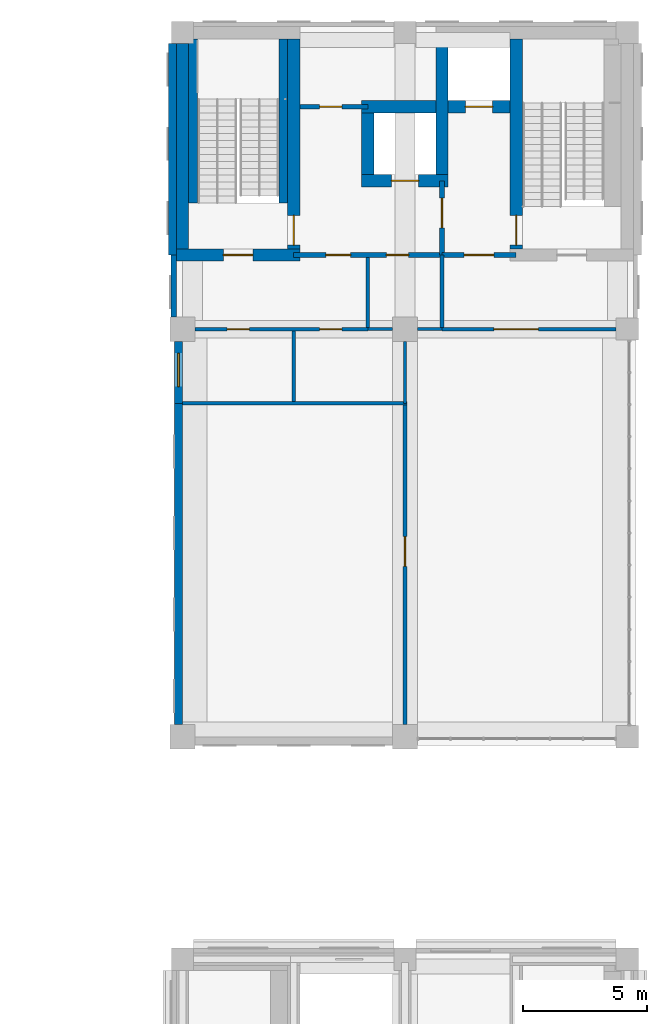
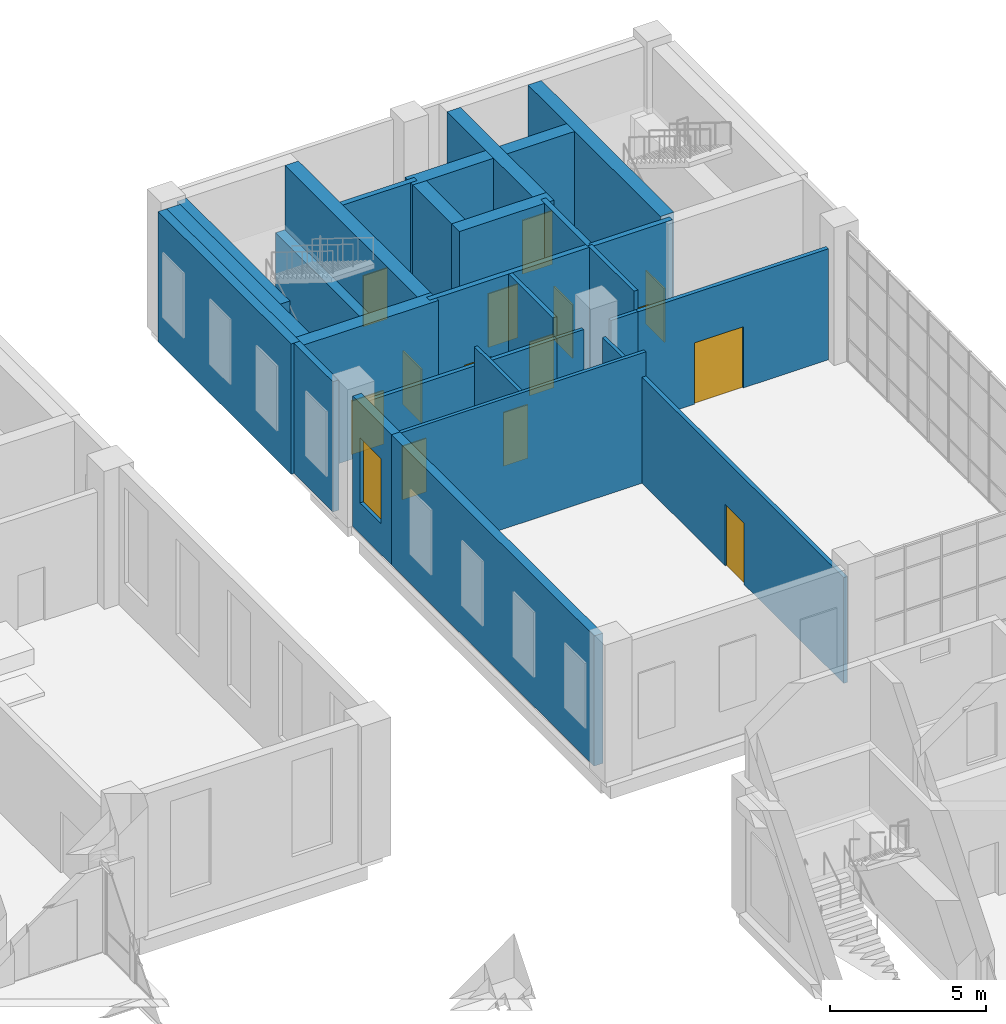
# One storey, part 37 of 52: 28 walls, 14 doors, 1 window, 15 openings.
"""IFC4 building model written with IfcOpenShell, lengths in metres."""

from ifc_helpers import new_model, si_unit, direction, frame, frame_2d, origin, place, context, subcontext, project, spatial, rectangle, extrude, material, layer, layer_set, type_object, element, fill, save


model = new_model("IFC4")

# Units and contexts
model_context = context("Model", 3, precision=1e-05, world=origin(), true_north=direction((0.0, 1.0)))
body_context = subcontext(model_context, "Body", "Model", "MODEL_VIEW")
ifc_project = project(units=[si_unit("LENGTHUNIT", "METRE"), si_unit("AREAUNIT", "SQUARE_METRE"), si_unit("VOLUMEUNIT", "CUBIC_METRE"), si_unit("PLANEANGLEUNIT", "RADIAN"), si_unit("MASSUNIT", "GRAM", prefix="KILO")], contexts=[model_context])

# Site, building, storey
site_placement = place(None, origin())
site = spatial("IfcSite", under=ifc_project, at=site_placement, CompositionType="ELEMENT")
building_placement = place(site_placement, origin())
building = spatial("IfcBuilding", under=site, at=building_placement, Name="Aurelan Courthouse", CompositionType="ELEMENT")
storey_placement = place(building_placement, frame((0.0, 0.0, 6.60009765625)))
storey = spatial("IfcBuildingStorey", under=building, at=storey_placement, Name="L01", CompositionType="ELEMENT", Elevation=6.60009765625)

# Wall, openings, doors
ifc_material_1 = material(Name="Gypsum board on metal studs")
ifc_layer_1 = layer(ifc_material_1, 0.14990234375)
ifc_layer_set_1 = layer_set([ifc_layer_1], Name="Gypsum board on metal studs")
wall_type_1 = type_object("IfcWallType", Name="Corridor partition 150 EI 60", PredefinedType="PARTITIONING", material=ifc_layer_set_1)
wall_1_placement = place(storey_placement, frame((72.5, 54.0, 0.0), z_axis=(0.0, 0.0, 1.0), x_axis=(1.0, 0.0, 0.0)))
wall_1 = element("IfcWall", 1, at=wall_1_placement, inside=storey, type_object=wall_type_1, Name="Corridor partition L01-051", PredefinedType="PARTITIONING", context=body_context, shape_type="SweptSolid", body=[
    extrude(rectangle(XDim=7.0, YDim=0.14990234375, at=frame_2d((3.5, 0.0))), origin(), (0.0, 0.0, 1.0), 4.349853515625),
])
opening_1_placement = place(wall_1_placement, frame((2.199951171875, 0.0, 0.0), z_axis=(0.0, 0.0, 1.0), x_axis=(-1.0, 0.0, 0.0)))
opening_1 = element("IfcOpeningElement", 2, at=opening_1_placement, cuts=wall_1, Name="Opening D-L01-049", PredefinedType="OPENING", context=body_context, shape_type="SweptSolid", body=[
    extrude(rectangle(XDim=0.89990234375, YDim=2.10009765625, at=frame_2d((0.449951171875, 1.050048828125))), frame((0.0, 0.0849609375, 0.0), z_axis=(0.0, -1.0, 0.0), x_axis=(1.0, 0.0, 0.0)), (0.0, 0.0, 1.0), 0.169921875),
])
opening_2_placement = place(wall_1_placement, frame((5.949951171875, 0.0, 0.0), z_axis=(0.0, 0.0, 1.0), x_axis=(-1.0, 0.0, 0.0)))
opening_2 = element("IfcOpeningElement", 3, at=opening_2_placement, cuts=wall_1, Name="Opening D-L01-050", PredefinedType="OPENING", context=body_context, shape_type="SweptSolid", body=[
    extrude(rectangle(XDim=0.89990234375, YDim=2.10009765625, at=frame_2d((0.449951171875, 1.050048828125))), frame((0.0, 0.0849609375, 0.0), z_axis=(0.0, -1.0, 0.0), x_axis=(1.0, 0.0, 0.0)), (0.0, 0.0, 1.0), 0.169921875),
])
ifc_material_2 = material(Name="Steel", Category="steel")
door_type_1 = type_object("IfcDoorType", Name="Single door 900 x 2100 FD60", OperationType="SINGLE_SWING_LEFT", PredefinedType="DOOR", material=ifc_material_2)
door_1_placement = place(opening_1_placement, origin())
door_1 = element("IfcDoor", 4, at=door_1_placement, inside=storey, type_object=door_type_1, Name="Single door D-L01-049", OperationType="SINGLE_SWING_LEFT", OverallHeight=2.10009765625, OverallWidth=0.89990234375, PredefinedType="DOOR", context=body_context, shape_type="SweptSolid", body=[
    extrude(rectangle(XDim=0.89990234375, YDim=2.10009765625, at=frame_2d((0.449951171875, 1.050048828125))), frame((0.0, 0.02490234375, 0.0), z_axis=(0.0, -1.0, 0.0), x_axis=(1.0, 0.0, 0.0)), (0.0, 0.0, 1.0), 0.050048828125),
])
fill(opening_1, door_1)
door_2_placement = place(opening_2_placement, origin())
door_2 = element("IfcDoor", 5, at=door_2_placement, inside=storey, type_object=door_type_1, Name="Single door D-L01-050", OperationType="SINGLE_SWING_RIGHT", OverallHeight=2.10009765625, OverallWidth=0.89990234375, PredefinedType="DOOR", context=body_context, shape_type="SweptSolid", body=[
    extrude(rectangle(XDim=0.89990234375, YDim=2.10009765625, at=frame_2d((0.449951171875, 1.050048828125))), frame((0.0, 0.02490234375, 0.0), z_axis=(0.0, -1.0, 0.0), x_axis=(1.0, 0.0, 0.0)), (0.0, 0.0, 1.0), 0.050048828125),
])
fill(opening_2, door_2)

# Wall, opening, door
wall_2_placement = place(storey_placement, frame((82.5, 54.0, 0.0), z_axis=(0.0, 0.0, 1.0), x_axis=(1.0, 0.0, 0.0)))
wall_2 = element("IfcWall", 6, at=wall_2_placement, inside=storey, type_object=wall_type_1, Name="Corridor partition L01-054", PredefinedType="PARTITIONING", context=body_context, shape_type="SweptSolid", body=[
    extrude(rectangle(XDim=7.050048828125, YDim=0.14990234375, at=frame_2d((3.52490234375, 0.0))), origin(), (0.0, 0.0, 1.0), 4.349853515625),
])
opening_3_placement = place(wall_2_placement, frame((3.900146484375, 0.0, 0.0), z_axis=(0.0, 0.0, 1.0), x_axis=(-1.0, 0.0, 0.0)))
opening_3 = element("IfcOpeningElement", 7, at=opening_3_placement, cuts=wall_2, Name="Opening D-L01-051", PredefinedType="OPENING", context=body_context, shape_type="SweptSolid", body=[
    extrude(rectangle(XDim=1.800048828125, YDim=2.39990234375, at=frame_2d((0.89990234375, 1.199951171875))), frame((0.0, 0.0849609375, 0.0), z_axis=(0.0, -1.0, 0.0), x_axis=(1.0, 0.0, 0.0)), (0.0, 0.0, 1.0), 0.169921875),
])
door_type_2 = type_object("IfcDoorType", Name="Double door 1800 x 2400 FD60", OperationType="DOUBLE_DOOR_SINGLE_SWING", PredefinedType="DOOR", material=ifc_material_2)
door_3_placement = place(opening_3_placement, origin())
door_3 = element("IfcDoor", 8, at=door_3_placement, inside=storey, type_object=door_type_2, Name="Double door D-L01-051", OperationType="DOUBLE_DOOR_SINGLE_SWING", OverallHeight=2.39990234375, OverallWidth=1.800048828125, PredefinedType="DOOR", context=body_context, shape_type="SweptSolid", body=[
    extrude(rectangle(XDim=1.800048828125, YDim=2.39990234375, at=frame_2d((0.89990234375, 1.199951171875))), frame((0.0, 0.02490234375, 0.0), z_axis=(0.0, -1.0, 0.0), x_axis=(1.0, 0.0, 0.0)), (0.0, 0.0, 1.0), 0.050048828125),
])
fill(opening_3, door_3)

# Walls
wall_3_placement = place(storey_placement, frame((79.5, 54.0625, 0.0), z_axis=(0.0, 0.0, 1.0), x_axis=(0.0, 1.0, 0.0)))
element("IfcWall", 9, at=wall_3_placement, inside=storey, type_object=wall_type_1, Name="Corridor partition L01-102", PredefinedType="PARTITIONING", context=body_context, shape_type="SweptSolid", body=[
    extrude(rectangle(XDim=2.83740234375, YDim=0.14990234375, at=frame_2d((1.418701171875, 0.0))), origin(), (0.0, 0.0, 1.0), 5.099853515625),
])
wall_4_placement = place(storey_placement, frame((82.5, 54.0625, 0.0), z_axis=(0.0, 0.0, 1.0), x_axis=(0.0, 1.0, 0.0)))
element("IfcWall", 10, at=wall_4_placement, inside=storey, type_object=wall_type_1, Name="Corridor partition L01-107", PredefinedType="PARTITIONING", context=body_context, shape_type="SweptSolid", body=[
    extrude(rectangle(XDim=2.9375, YDim=0.14990234375, at=frame_2d((1.46875, 0.0))), origin(), (0.0, 0.0, 1.0), 5.099853515625),
])
ifc_material_3 = material(Name="Granite cladding", Category="masonry")
ifc_layer_2 = layer(ifc_material_3, 0.06494140625, Name="Facing")
ifc_material_4 = material(Name="Ventilated cavity")
ifc_layer_3 = layer(ifc_material_4, 0.02490234375, ventilated=True, Name="Ventilated cavity")
ifc_material_5 = material(Name="Mineral wool insulation")
ifc_layer_4 = layer(ifc_material_5, 0.030029296875, Name="Insulation")
ifc_material_6 = material(Name="Concrete C30", Category="concrete")
ifc_layer_5 = layer(ifc_material_6, 0.10009765625, Name="Structure")
ifc_layer_set_2 = layer_set([ifc_layer_2, ifc_layer_3, ifc_layer_4, ifc_layer_5], Name="Concrete C30")
wall_type_2 = type_object("IfcWallType", Name="Law Library granite-faced wall 220", PredefinedType="SOLIDWALL", material=ifc_layer_set_2)
wall_5_placement = place(storey_placement, frame((71.639892578125, 54.5, 0.0), z_axis=(0.0, 0.0, 1.0), x_axis=(0.0, 1.0, 0.0)))
element("IfcWall", 11, at=wall_5_placement, inside=storey, type_object=wall_type_2, Name="Facade wall FW-V3-L01-008", PredefinedType="SOLIDWALL", context=body_context, shape_type="SweptSolid", body=[
    extrude(rectangle(XDim=2.5, YDim=0.219970703125, at=frame_2d((1.25, 0.0))), origin(), (0.0, 0.0, 1.0), 5.099853515625),
])
ifc_layer_6 = layer(ifc_material_3, 0.090087890625, Name="Facing")
ifc_layer_7 = layer(ifc_material_4, 0.02490234375, ventilated=True, Name="Ventilated cavity")
ifc_layer_8 = layer(ifc_material_5, 0.044921875, Name="Insulation")
ifc_layer_9 = layer(ifc_material_6, 0.159912109375, Name="Structure")
ifc_layer_set_3 = layer_set([ifc_layer_6, ifc_layer_7, ifc_layer_8, ifc_layer_9], Name="Concrete C30")
wall_type_3 = type_object("IfcWallType", Name="Law Library granite-faced wall 320", PredefinedType="SOLIDWALL", material=ifc_layer_set_3)
wall_6_placement = place(storey_placement, frame((71.840087890625, 38.0, 0.0), z_axis=(0.0, 0.0, 1.0), x_axis=(0.0, 1.0, 0.0)))
element("IfcWall", 12, at=wall_6_placement, inside=storey, type_object=wall_type_3, Name="Facade wall FW-V3-L01-006", PredefinedType="SOLIDWALL", context=body_context, shape_type="SweptSolid", body=[
    extrude(rectangle(XDim=13.0, YDim=0.320068359375, at=frame_2d((6.5, 0.0))), origin(), (0.0, 0.0, 1.0), 5.099853515625),
])

# Wall, opening, window
wall_7_placement = place(storey_placement, frame((71.840087890625, 51.0, 0.0), z_axis=(0.0, 0.0, 1.0), x_axis=(0.0, 1.0, 0.0)))
wall_7 = element("IfcWall", 13, at=wall_7_placement, inside=storey, type_object=wall_type_3, Name="Facade wall FW-V3-L01-007", PredefinedType="SOLIDWALL", context=body_context, shape_type="SweptSolid", body=[
    extrude(rectangle(XDim=2.5, YDim=0.320068359375, at=frame_2d((1.25, 0.0))), origin(), (0.0, 0.0, 1.0), 5.099853515625),
])
opening_4_placement = place(wall_7_placement, frame((0.675048828125, 0.0, 1.199951171875)))
opening_4 = element("IfcOpeningElement", 14, at=opening_4_placement, cuts=wall_7, Name="Opening WN-V3-L01-001", PredefinedType="OPENING", context=body_context, shape_type="SweptSolid", body=[
    extrude(rectangle(XDim=1.35009765625, YDim=2.550048828125, at=frame_2d((0.675048828125, 1.27490234375))), frame((0.0, 0.169921875, 0.0), z_axis=(0.0, -1.0, 0.0), x_axis=(1.0, 0.0, 0.0)), (0.0, 0.0, 1.0), 0.340087890625),
])
ifc_material_7 = material(Name="Bronze-finished aluminium and glass", Category="aluminium")
window_type = type_object("IfcWindowType", Name="Law Library window 1350 x 2550, sill 1200", PartitioningType="SINGLE_PANEL", PredefinedType="WINDOW", material=ifc_material_7)
window_placement = place(opening_4_placement, origin())
window = element("IfcWindow", 15, at=window_placement, inside=storey, type_object=window_type, Name="Window WN-V3-L01-001", OverallHeight=2.550048828125, OverallWidth=1.35009765625, PartitioningType="SINGLE_PANEL", PredefinedType="WINDOW", context=body_context, shape_type="SweptSolid", body=[
    extrude(rectangle(XDim=1.35009765625, YDim=2.550048828125, at=frame_2d((0.675048828125, 1.27490234375))), frame((0.0, 0.030029296875, 0.0), z_axis=(0.0, -1.0, 0.0), x_axis=(1.0, 0.0, 0.0)), (0.0, 0.0, 1.0), 0.06005859375),
])
fill(opening_4, window)

# Wall
wall_8_placement = place(storey_placement, frame((71.590087890625, 57.0, 0.0), z_axis=(0.0, 0.0, 1.0), x_axis=(0.0, 1.0, 0.0)))
element("IfcWall", 16, at=wall_8_placement, inside=storey, type_object=wall_type_3, Name="Facade wall FW-V3-L01-009", PredefinedType="SOLIDWALL", context=body_context, shape_type="SweptSolid", body=[
    extrude(rectangle(XDim=8.550048828125, YDim=0.320068359375, at=frame_2d((4.27490234375, 0.0))), origin(), (0.0, 0.0, 1.0), 5.099853515625),
])

# Wall, openings, doors
ifc_material_8 = material(Name="Masonry block", Category="masonry")
ifc_layer_10 = layer(ifc_material_8, 0.199951171875)
ifc_layer_set_4 = layer_set([ifc_layer_10], Name="Masonry block")
wall_type_4 = type_object("IfcWallType", Name="Lift lobby wall 200 EI 60", PredefinedType="PARTITIONING", material=ifc_layer_set_4)
wall_9_placement = place(storey_placement, frame((76.5, 57.0, 0.0), z_axis=(0.0, 0.0, 1.0), x_axis=(1.0, 0.0, 0.0)))
wall_9 = element("IfcWall", 17, at=wall_9_placement, inside=storey, type_object=wall_type_4, Name="Lift lobby wall L01-060", PredefinedType="PARTITIONING", context=body_context, shape_type="SweptSolid", body=[
    extrude(rectangle(XDim=6.0, YDim=0.199951171875, at=frame_2d((3.0, 0.0))), origin(), (0.0, 0.0, 1.0), 5.099853515625),
])
opening_5_placement = place(wall_9_placement, frame((4.64990234375, 0.0, 0.0), z_axis=(0.0, 0.0, 1.0), x_axis=(-1.0, 0.0, 0.0)))
opening_5 = element("IfcOpeningElement", 18, at=opening_5_placement, cuts=wall_9, Name="Opening D-L01-044", PredefinedType="OPENING", context=body_context, shape_type="SweptSolid", body=[
    extrude(rectangle(XDim=0.89990234375, YDim=2.10009765625, at=frame_2d((0.449951171875, 1.050048828125))), frame((0.0, 0.10986328125, 0.0), z_axis=(0.0, -1.0, 0.0), x_axis=(1.0, 0.0, 0.0)), (0.0, 0.0, 1.0), 0.219970703125),
])
opening_6_placement = place(wall_9_placement, frame((1.300048828125, 0.0, 0.0)))
opening_6 = element("IfcOpeningElement", 19, at=opening_6_placement, cuts=wall_9, Name="Opening D-L01-045", PredefinedType="OPENING", context=body_context, shape_type="SweptSolid", body=[
    extrude(rectangle(XDim=1.0, YDim=2.10009765625, at=frame_2d((0.5, 1.050048828125))), frame((0.0, 0.10986328125, 0.0), z_axis=(0.0, -1.0, 0.0), x_axis=(1.0, 0.0, 0.0)), (0.0, 0.0, 1.0), 0.219970703125),
])
door_type_3 = type_object("IfcDoorType", Name="Single door 1000 x 2100 FD60", OperationType="SINGLE_SWING_LEFT", PredefinedType="DOOR", material=ifc_material_2)
door_4_placement = place(opening_6_placement, origin())
door_4 = element("IfcDoor", 20, at=door_4_placement, inside=storey, type_object=door_type_3, Name="Single door D-L01-045", OperationType="SINGLE_SWING_LEFT", OverallHeight=2.10009765625, OverallWidth=1.0, PredefinedType="DOOR", context=body_context, shape_type="SweptSolid", body=[
    extrude(rectangle(XDim=1.0, YDim=2.10009765625, at=frame_2d((0.5, 1.050048828125))), frame((0.0, 0.02490234375, 0.0), z_axis=(0.0, -1.0, 0.0), x_axis=(1.0, 0.0, 0.0)), (0.0, 0.0, 1.0), 0.050048828125),
])
fill(opening_6, door_4)
door_5_placement = place(opening_5_placement, origin())
door_5 = element("IfcDoor", 21, at=door_5_placement, inside=storey, type_object=door_type_1, Name="Single door D-L01-044", OperationType="SINGLE_SWING_RIGHT", OverallHeight=2.10009765625, OverallWidth=0.89990234375, PredefinedType="DOOR", context=body_context, shape_type="SweptSolid", body=[
    extrude(rectangle(XDim=0.89990234375, YDim=2.10009765625, at=frame_2d((0.449951171875, 1.050048828125))), frame((0.0, 0.02490234375, 0.0), z_axis=(0.0, -1.0, 0.0), x_axis=(1.0, 0.0, 0.0)), (0.0, 0.0, 1.0), 0.050048828125),
])
fill(opening_5, door_5)

# Wall, opening, door
wall_10_placement = place(storey_placement, frame((82.5, 57.0, 0.0), z_axis=(0.0, 0.0, 1.0), x_axis=(1.0, 0.0, 0.0)))
wall_10 = element("IfcWall", 22, at=wall_10_placement, inside=storey, type_object=wall_type_4, Name="Lift lobby wall L01-061", PredefinedType="PARTITIONING", context=body_context, shape_type="SweptSolid", body=[
    extrude(rectangle(XDim=3.0, YDim=0.199951171875, at=frame_2d((1.5, 0.0))), origin(), (0.0, 0.0, 1.0), 5.099853515625),
])
opening_7_placement = place(wall_10_placement, frame((0.89990234375, 0.0, 0.0)))
opening_7 = element("IfcOpeningElement", 23, at=opening_7_placement, cuts=wall_10, Name="Opening D-L01-046", PredefinedType="OPENING", context=body_context, shape_type="SweptSolid", body=[
    extrude(rectangle(XDim=1.199951171875, YDim=2.10009765625, at=frame_2d((0.60009765625, 1.050048828125))), frame((0.0, 0.10986328125, 0.0), z_axis=(0.0, -1.0, 0.0), x_axis=(1.0, 0.0, 0.0)), (0.0, 0.0, 1.0), 0.219970703125),
])
door_type_4 = type_object("IfcDoorType", Name="Single door 1200 x 2100 FD60", OperationType="SINGLE_SWING_LEFT", PredefinedType="DOOR", material=ifc_material_2)
door_6_placement = place(opening_7_placement, origin())
door_6 = element("IfcDoor", 24, at=door_6_placement, inside=storey, type_object=door_type_4, Name="Single door D-L01-046", OperationType="SINGLE_SWING_LEFT", OverallHeight=2.10009765625, OverallWidth=1.199951171875, PredefinedType="DOOR", context=body_context, shape_type="SweptSolid", body=[
    extrude(rectangle(XDim=1.199951171875, YDim=2.10009765625, at=frame_2d((0.60009765625, 1.050048828125))), frame((0.0, 0.02490234375, 0.0), z_axis=(0.0, -1.0, 0.0), x_axis=(1.0, 0.0, 0.0)), (0.0, 0.0, 1.0), 0.050048828125),
])
fill(opening_7, door_6)

wall_11_placement = place(storey_placement, frame((82.5, 57.0, 0.0), z_axis=(0.0, 0.0, 1.0), x_axis=(0.0, 1.0, 0.0)))
wall_11 = element("IfcWall", 25, at=wall_11_placement, inside=storey, type_object=wall_type_4, Name="Lift lobby wall L01-108", PredefinedType="PARTITIONING", context=body_context, shape_type="SweptSolid", body=[
    extrude(rectangle(XDim=3.0, YDim=0.199951171875, at=frame_2d((1.5, 0.0))), origin(), (0.0, 0.0, 1.0), 5.099853515625),
])
opening_8_placement = place(wall_11_placement, frame((2.300048828125, 0.0, 0.0), z_axis=(0.0, 0.0, 1.0), x_axis=(-1.0, 0.0, 0.0)))
opening_8 = element("IfcOpeningElement", 26, at=opening_8_placement, cuts=wall_11, Name="Opening D-L01-039", PredefinedType="OPENING", context=body_context, shape_type="SweptSolid", body=[
    extrude(rectangle(XDim=1.199951171875, YDim=2.10009765625, at=frame_2d((0.60009765625, 1.050048828125))), frame((0.0, 0.10986328125, 0.0), z_axis=(0.0, -1.0, 0.0), x_axis=(1.0, 0.0, 0.0)), (0.0, 0.0, 1.0), 0.219970703125),
])
door_7_placement = place(opening_8_placement, origin())
door_7 = element("IfcDoor", 27, at=door_7_placement, inside=storey, type_object=door_type_4, Name="Single door D-L01-039", OperationType="SINGLE_SWING_LEFT", OverallHeight=2.10009765625, OverallWidth=1.199951171875, PredefinedType="DOOR", context=body_context, shape_type="SweptSolid", body=[
    extrude(rectangle(XDim=1.199951171875, YDim=2.10009765625, at=frame_2d((0.60009765625, 1.050048828125))), frame((0.0, 0.02490234375, 0.0), z_axis=(0.0, -1.0, 0.0), x_axis=(1.0, 0.0, 0.0)), (0.0, 0.0, 1.0), 0.050048828125),
])
fill(opening_8, door_7)

ifc_layer_11 = layer(ifc_material_1, 0.14990234375)
ifc_layer_set_5 = layer_set([ifc_layer_11], Name="Gypsum board on metal studs")
wall_type_5 = type_object("IfcWallType", Name="Partition 150 NOT RATED", PredefinedType="PARTITIONING", material=ifc_layer_set_5)
wall_12_placement = place(storey_placement, frame((81.0, 38.0, 0.0), z_axis=(0.0, 0.0, 1.0), x_axis=(0.0, 1.0, 0.0)))
wall_12 = element("IfcWall", 28, at=wall_12_placement, inside=storey, type_object=wall_type_5, Name="Partition L01-105", PredefinedType="PARTITIONING", context=body_context, shape_type="SweptSolid", body=[
    extrude(rectangle(XDim=13.0, YDim=0.14990234375, at=frame_2d((6.5, 0.0))), origin(), (0.0, 0.0, 1.0), 4.14990234375),
])
opening_9_placement = place(wall_12_placement, frame((7.599853515625, 0.0, 0.0), z_axis=(0.0, 0.0, 1.0), x_axis=(-1.0, 0.0, 0.0)))
opening_9 = element("IfcOpeningElement", 29, at=opening_9_placement, cuts=wall_12, Name="Opening D-L01-052", PredefinedType="OPENING", context=body_context, shape_type="SweptSolid", body=[
    extrude(rectangle(XDim=1.199951171875, YDim=2.39990234375, at=frame_2d((0.60009765625, 1.199951171875))), frame((0.0, 0.0849609375, 0.0), z_axis=(0.0, -1.0, 0.0), x_axis=(1.0, 0.0, 0.0)), (0.0, 0.0, 1.0), 0.169921875),
])
ifc_material_9 = material(Name="Timber", Category="wood")
door_type_5 = type_object("IfcDoorType", Name="Single door 1200 x 2400 NOT RATED", OperationType="SINGLE_SWING_LEFT", PredefinedType="DOOR", material=ifc_material_9)
door_8_placement = place(opening_9_placement, origin())
door_8 = element("IfcDoor", 30, at=door_8_placement, inside=storey, type_object=door_type_5, Name="Single door D-L01-052", OperationType="SINGLE_SWING_LEFT", OverallHeight=2.39990234375, OverallWidth=1.199951171875, PredefinedType="DOOR", context=body_context, shape_type="SweptSolid", body=[
    extrude(rectangle(XDim=1.199951171875, YDim=2.39990234375, at=frame_2d((0.60009765625, 1.199951171875))), frame((0.0, 0.02490234375, 0.0), z_axis=(0.0, -1.0, 0.0), x_axis=(1.0, 0.0, 0.0)), (0.0, 0.0, 1.0), 0.050048828125),
])
fill(opening_9, door_8)

ifc_material_10 = material(Name="Concrete C50", Category="concrete")
ifc_layer_12 = layer(ifc_material_10, 0.5)
ifc_layer_set_6 = layer_set([ifc_layer_12], Name="Concrete C50")
wall_type_6 = type_object("IfcWallType", Name="RC shear wall 500", PredefinedType="SHEAR", material=ifc_layer_set_6)
wall_13_placement = place(storey_placement, frame((71.75, 57.0, 0.0), z_axis=(0.0, 0.0, 1.0), x_axis=(1.0, 0.0, 0.0)))
wall_13 = element("IfcWall", 31, at=wall_13_placement, inside=storey, type_object=wall_type_6, Name="Core wall SW-L01-052", PredefinedType="SHEAR", context=body_context, shape_type="SweptSolid", body=[
    extrude(rectangle(XDim=5.0, YDim=0.5, at=frame_2d((2.5, 0.0))), origin(), (0.0, 0.0, 1.0), 5.099853515625),
])
opening_10_placement = place(wall_13_placement, frame((1.89990234375, 0.0, 0.0)))
opening_10 = element("IfcOpeningElement", 32, at=opening_10_placement, cuts=wall_13, Name="Opening D-L01-047", PredefinedType="OPENING", context=body_context, shape_type="SweptSolid", body=[
    extrude(rectangle(XDim=1.199951171875, YDim=2.10009765625, at=frame_2d((0.60009765625, 1.050048828125))), frame((0.0, 0.260009765625, 0.0), z_axis=(0.0, -1.0, 0.0), x_axis=(1.0, 0.0, 0.0)), (0.0, 0.0, 1.0), 0.52001953125),
])
door_type_6 = type_object("IfcDoorType", Name="Single door 1200 x 2100 FD90", OperationType="SINGLE_SWING_LEFT", PredefinedType="DOOR", material=ifc_material_2)
door_9_placement = place(opening_10_placement, origin())
door_9 = element("IfcDoor", 33, at=door_9_placement, inside=storey, type_object=door_type_6, Name="Single door D-L01-047", OperationType="SINGLE_SWING_RIGHT", OverallHeight=2.10009765625, OverallWidth=1.199951171875, PredefinedType="DOOR", context=body_context, shape_type="SweptSolid", body=[
    extrude(rectangle(XDim=1.199951171875, YDim=2.10009765625, at=frame_2d((0.60009765625, 1.050048828125))), frame((0.0, 0.02490234375, 0.0), z_axis=(0.0, -1.0, 0.0), x_axis=(1.0, 0.0, 0.0)), (0.0, 0.0, 1.0), 0.050048828125),
])
fill(opening_10, door_9)

# Wall
wall_14_placement = place(storey_placement, frame((72.0, 57.25, 0.0), z_axis=(0.0, 0.0, 1.0), x_axis=(0.0, 1.0, 0.0)))
element("IfcWall", 34, at=wall_14_placement, inside=storey, type_object=wall_type_6, Name="Core wall SW-L01-063", PredefinedType="SHEAR", context=body_context, shape_type="SweptSolid", body=[
    extrude(rectangle(XDim=8.300048828125, YDim=0.5, at=frame_2d((4.14990234375, 0.0))), origin(), (0.0, 0.0, 1.0), 5.099853515625),
])

# Wall, opening, door
wall_15_placement = place(storey_placement, frame((76.5, 57.25, 0.0), z_axis=(0.0, 0.0, 1.0), x_axis=(0.0, 1.0, 0.0)))
wall_15 = element("IfcWall", 35, at=wall_15_placement, inside=storey, type_object=wall_type_6, Name="Core wall SW-L01-064", PredefinedType="SHEAR", context=body_context, shape_type="SweptSolid", body=[
    extrude(rectangle(XDim=8.5, YDim=0.5, at=frame_2d((4.25, 0.0))), origin(), (0.0, 0.0, 1.0), 5.099853515625),
])
opening_11_placement = place(wall_15_placement, frame((0.14990234375, 0.0, 0.0)))
opening_11 = element("IfcOpeningElement", 36, at=opening_11_placement, cuts=wall_15, Name="Opening D-L01-038", PredefinedType="OPENING", context=body_context, shape_type="SweptSolid", body=[
    extrude(rectangle(XDim=1.199951171875, YDim=2.10009765625, at=frame_2d((0.60009765625, 1.050048828125))), frame((0.0, 0.260009765625, 0.0), z_axis=(0.0, -1.0, 0.0), x_axis=(1.0, 0.0, 0.0)), (0.0, 0.0, 1.0), 0.52001953125),
])
door_10_placement = place(opening_11_placement, origin())
door_10 = element("IfcDoor", 37, at=door_10_placement, inside=storey, type_object=door_type_6, Name="Single door D-L01-038", OperationType="SINGLE_SWING_LEFT", OverallHeight=2.10009765625, OverallWidth=1.199951171875, PredefinedType="DOOR", context=body_context, shape_type="SweptSolid", body=[
    extrude(rectangle(XDim=1.199951171875, YDim=2.10009765625, at=frame_2d((0.60009765625, 1.050048828125))), frame((0.0, 0.02490234375, 0.0), z_axis=(0.0, -1.0, 0.0), x_axis=(1.0, 0.0, 0.0)), (0.0, 0.0, 1.0), 0.050048828125),
])
fill(opening_11, door_10)

wall_16_placement = place(storey_placement, frame((85.5, 57.25, 0.0), z_axis=(0.0, 0.0, 1.0), x_axis=(0.0, 1.0, 0.0)))
wall_16 = element("IfcWall", 38, at=wall_16_placement, inside=storey, type_object=wall_type_6, Name="Core wall SW-L01-065", PredefinedType="SHEAR", context=body_context, shape_type="SweptSolid", body=[
    extrude(rectangle(XDim=8.5, YDim=0.5, at=frame_2d((4.25, 0.0))), origin(), (0.0, 0.0, 1.0), 5.099853515625),
])
opening_12_placement = place(wall_16_placement, frame((1.349853515625, 0.0, 0.0), z_axis=(0.0, 0.0, 1.0), x_axis=(-1.0, 0.0, 0.0)))
opening_12 = element("IfcOpeningElement", 39, at=opening_12_placement, cuts=wall_16, Name="Opening D-L01-043", PredefinedType="OPENING", context=body_context, shape_type="SweptSolid", body=[
    extrude(rectangle(XDim=1.199951171875, YDim=2.10009765625, at=frame_2d((0.60009765625, 1.050048828125))), frame((0.0, 0.260009765625, 0.0), z_axis=(0.0, -1.0, 0.0), x_axis=(1.0, 0.0, 0.0)), (0.0, 0.0, 1.0), 0.52001953125),
])
door_11_placement = place(opening_12_placement, origin())
door_11 = element("IfcDoor", 40, at=door_11_placement, inside=storey, type_object=door_type_6, Name="Single door D-L01-043", OperationType="SINGLE_SWING_RIGHT", OverallHeight=2.10009765625, OverallWidth=1.199951171875, PredefinedType="DOOR", context=body_context, shape_type="SweptSolid", body=[
    extrude(rectangle(XDim=1.199951171875, YDim=2.10009765625, at=frame_2d((0.60009765625, 1.050048828125))), frame((0.0, 0.02490234375, 0.0), z_axis=(0.0, -1.0, 0.0), x_axis=(1.0, 0.0, 0.0)), (0.0, 0.0, 1.0), 0.050048828125),
])
fill(opening_12, door_11)

wall_17_placement = place(storey_placement, frame((79.25, 60.0, 0.0), z_axis=(0.0, 0.0, 1.0), x_axis=(1.0, 0.0, 0.0)))
wall_17 = element("IfcWall", 41, at=wall_17_placement, inside=storey, type_object=wall_type_6, Name="Core wall SW-L01-071", PredefinedType="SHEAR", context=body_context, shape_type="SweptSolid", body=[
    extrude(rectangle(XDim=3.5, YDim=0.5, at=frame_2d((1.75, 0.0))), origin(), (0.0, 0.0, 1.0), 5.099853515625),
])
opening_13_placement = place(wall_17_placement, frame((1.199951171875, 0.0, 0.0)))
opening_13 = element("IfcOpeningElement", 42, at=opening_13_placement, cuts=wall_17, Name="Opening LD-V3-P1-L01", PredefinedType="OPENING", context=body_context, shape_type="SweptSolid", body=[
    extrude(rectangle(XDim=1.10009765625, YDim=2.10009765625, at=frame_2d((0.550048828125, 1.050048828125))), frame((0.0, 0.260009765625, 0.0), z_axis=(0.0, -1.0, 0.0), x_axis=(1.0, 0.0, 0.0)), (0.0, 0.0, 1.0), 0.52001953125),
])
door_type_7 = type_object("IfcDoorType", Name="Lift landing door 1100 x 2100 FD90", OperationType="SLIDING_TO_LEFT", PredefinedType="DOOR", material=ifc_material_2)
door_12_placement = place(opening_13_placement, origin())
door_12 = element("IfcDoor", 43, at=door_12_placement, inside=storey, type_object=door_type_7, Name="Lift landing door LD-V3-P1-L01", OperationType="SLIDING_TO_LEFT", OverallHeight=2.10009765625, OverallWidth=1.10009765625, PredefinedType="DOOR", context=body_context, shape_type="SweptSolid", body=[
    extrude(rectangle(XDim=1.10009765625, YDim=2.10009765625, at=frame_2d((0.550048828125, 1.050048828125))), frame((0.0, 0.02490234375, 0.0), z_axis=(0.0, -1.0, 0.0), x_axis=(1.0, 0.0, 0.0)), (0.0, 0.0, 1.0), 0.050048828125),
])
fill(opening_13, door_12)

# Walls
wall_18_placement = place(storey_placement, frame((79.5, 60.25, 0.0), z_axis=(0.0, 0.0, 1.0), x_axis=(0.0, 1.0, 0.0)))
element("IfcWall", 44, at=wall_18_placement, inside=storey, type_object=wall_type_6, Name="Core wall SW-L01-076", PredefinedType="SHEAR", context=body_context, shape_type="SweptSolid", body=[
    extrude(rectangle(XDim=2.5, YDim=0.5, at=frame_2d((1.25, 0.0))), origin(), (0.0, 0.0, 1.0), 5.099853515625),
])
wall_19_placement = place(storey_placement, frame((82.5, 60.25, 0.0), z_axis=(0.0, 0.0, 1.0), x_axis=(0.0, 1.0, 0.0)))
element("IfcWall", 45, at=wall_19_placement, inside=storey, type_object=wall_type_6, Name="Core wall SW-L01-077", PredefinedType="SHEAR", context=body_context, shape_type="SweptSolid", body=[
    extrude(rectangle(XDim=5.5, YDim=0.5, at=frame_2d((2.75, 0.0))), origin(), (0.0, 0.0, 1.0), 5.099853515625),
])

# Wall, opening, door
wall_20_placement = place(storey_placement, frame((79.25, 63.0, 0.0), z_axis=(0.0, 0.0, 1.0), x_axis=(1.0, 0.0, 0.0)))
wall_20 = element("IfcWall", 46, at=wall_20_placement, inside=storey, type_object=wall_type_6, Name="Core wall SW-L01-081", PredefinedType="SHEAR", context=body_context, shape_type="SweptSolid", body=[
    extrude(rectangle(XDim=6.0, YDim=0.5, at=frame_2d((3.0, 0.0))), origin(), (0.0, 0.0, 1.0), 5.099853515625),
])
opening_14_placement = place(wall_20_placement, frame((4.199951171875, 0.0, 0.0)))
opening_14 = element("IfcOpeningElement", 47, at=opening_14_placement, cuts=wall_20, Name="Opening LD-V3-F1-L01", PredefinedType="OPENING", context=body_context, shape_type="SweptSolid", body=[
    extrude(rectangle(XDim=1.10009765625, YDim=2.10009765625, at=frame_2d((0.550048828125, 1.050048828125))), frame((0.0, 0.260009765625, 0.0), z_axis=(0.0, -1.0, 0.0), x_axis=(1.0, 0.0, 0.0)), (0.0, 0.0, 1.0), 0.52001953125),
])
door_13_placement = place(opening_14_placement, origin())
door_13 = element("IfcDoor", 48, at=door_13_placement, inside=storey, type_object=door_type_7, Name="Lift landing door LD-V3-F1-L01", OperationType="SLIDING_TO_LEFT", OverallHeight=2.10009765625, OverallWidth=1.10009765625, PredefinedType="DOOR", context=body_context, shape_type="SweptSolid", body=[
    extrude(rectangle(XDim=1.10009765625, YDim=2.10009765625, at=frame_2d((0.550048828125, 1.050048828125))), frame((0.0, 0.02490234375, 0.0), z_axis=(0.0, -1.0, 0.0), x_axis=(1.0, 0.0, 0.0)), (0.0, 0.0, 1.0), 0.050048828125),
])
fill(opening_14, door_13)

ifc_layer_13 = layer(ifc_material_6, 0.199951171875)
ifc_layer_set_7 = layer_set([ifc_layer_13], Name="Concrete C30")
wall_type_7 = type_object("IfcWallType", Name="Shaft wall 200 EI 120 load-bearing", PredefinedType="SHEAR", material=ifc_layer_set_7)
wall_21_placement = place(storey_placement, frame((76.75, 63.0, 0.0), z_axis=(0.0, 0.0, 1.0), x_axis=(1.0, 0.0, 0.0)))
wall_21 = element("IfcWall", 49, at=wall_21_placement, inside=storey, type_object=wall_type_7, Name="Shaft wall L01-066", PredefinedType="SHEAR", context=body_context, shape_type="SweptSolid", body=[
    extrude(rectangle(XDim=2.75, YDim=0.199951171875, at=frame_2d((1.375, 0.0))), origin(), (0.0, 0.0, 1.0), 5.099853515625),
])
opening_15_placement = place(wall_21_placement, frame((0.800048828125, 0.0, 0.0)))
opening_15 = element("IfcOpeningElement", 50, at=opening_15_placement, cuts=wall_21, Name="Opening D-L01-041", PredefinedType="OPENING", context=body_context, shape_type="SweptSolid", body=[
    extrude(rectangle(XDim=0.89990234375, YDim=2.0, at=frame_2d((0.449951171875, 1.0))), frame((0.0, 0.10986328125, 0.0), z_axis=(0.0, -1.0, 0.0), x_axis=(1.0, 0.0, 0.0)), (0.0, 0.0, 1.0), 0.219970703125),
])
door_type_8 = type_object("IfcDoorType", Name="Single door 900 x 2000 FD90", OperationType="SINGLE_SWING_LEFT", PredefinedType="DOOR", material=ifc_material_2)
door_14_placement = place(opening_15_placement, origin())
door_14 = element("IfcDoor", 51, at=door_14_placement, inside=storey, type_object=door_type_8, Name="Single door D-L01-041", OperationType="SINGLE_SWING_LEFT", OverallHeight=2.0, OverallWidth=0.89990234375, PredefinedType="DOOR", context=body_context, shape_type="SweptSolid", body=[
    extrude(rectangle(XDim=0.89990234375, YDim=2.0, at=frame_2d((0.449951171875, 1.0))), frame((0.0, 0.02490234375, 0.0), z_axis=(0.0, -1.0, 0.0), x_axis=(1.0, 0.0, 0.0)), (0.0, 0.0, 1.0), 0.050048828125),
])
fill(opening_15, door_14)

# Walls
ifc_layer_14 = layer(ifc_material_6, 0.35009765625)
ifc_layer_set_8 = layer_set([ifc_layer_14], Name="Concrete C30")
wall_type_8 = type_object("IfcWallType", Name="Stair well wall 350 EI 120 load-bearing", PredefinedType="SHEAR", material=ifc_layer_set_8)
wall_22_placement = place(storey_placement, frame((72.425048828125, 59.110107421875, 0.0), z_axis=(0.0, 0.0, 1.0), x_axis=(0.0, 1.0, 0.0)))
element("IfcWall", 52, at=wall_22_placement, inside=storey, type_object=wall_type_8, Name="Stair well wall ST-3A-L01 A", PredefinedType="SHEAR", context=body_context, shape_type="SweptSolid", body=[
    extrude(rectangle(XDim=6.639892578125, YDim=0.35009765625, at=frame_2d((3.31982421875, 0.0))), origin(), (0.0, 0.0, 1.0), 5.099853515625),
])
wall_23_placement = place(storey_placement, frame((76.074951171875, 59.110107421875, 0.0), z_axis=(0.0, 0.0, 1.0), x_axis=(0.0, 1.0, 0.0)))
element("IfcWall", 53, at=wall_23_placement, inside=storey, type_object=wall_type_8, Name="Stair well wall ST-3A-L01 B", PredefinedType="SHEAR", context=body_context, shape_type="SweptSolid", body=[
    extrude(rectangle(XDim=6.639892578125, YDim=0.35009765625, at=frame_2d((3.31982421875, 0.0))), origin(), (0.0, 0.0, 1.0), 2.5869140625),
])
ifc_material_11 = material(Name="Moisture-resistant board on metal studs")
ifc_layer_15 = layer(ifc_material_11, 0.125)
ifc_layer_set_9 = layer_set([ifc_layer_15], Name="Moisture-resistant board on metal studs")
wall_type_9 = type_object("IfcWallType", Name="Wet-area partition 125 NOT RATED", PredefinedType="PARTITIONING", material=ifc_layer_set_9)
wall_24_placement = place(storey_placement, frame((72.0, 51.0, 0.0), z_axis=(0.0, 0.0, 1.0), x_axis=(1.0, 0.0, 0.0)))
element("IfcWall", 54, at=wall_24_placement, inside=storey, type_object=wall_type_9, Name="Wet-area partition L01-046", PredefinedType="PARTITIONING", context=body_context, shape_type="SweptSolid", body=[
    extrude(rectangle(XDim=9.074951171875, YDim=0.125, at=frame_2d((4.53759765625, 0.0))), origin(), (0.0, 0.0, 1.0), 5.099853515625),
])
for number, where, z_axis, x_axis, name in (
    (55, (79.5, 54.0, 0.0), (0.0, 0.0, 1.0), (1.0, 0.0, 0.0), "Wet-area partition L01-052"),
    (56, (81.5, 54.0, 0.0), (0.0, 0.0, 1.0), (1.0, 0.0, 0.0), "Wet-area partition L01-053"),
):
    element("IfcWall", number, at=place(storey_placement, frame(where, z_axis=z_axis, x_axis=x_axis)), inside=storey, type_object=wall_type_9, Name=name, PredefinedType="PARTITIONING", context=body_context, shape_type="SweptSolid", body=[
        extrude(rectangle(XDim=1.0, YDim=0.125, at=frame_2d((0.5, 0.0))), origin(), (0.0, 0.0, 1.0), 4.349853515625),
    ])
wall_25_placement = place(storey_placement, frame((76.5, 51.0625, 0.0), z_axis=(0.0, 0.0, 1.0), x_axis=(0.0, 1.0, 0.0)))
element("IfcWall", 57, at=wall_25_placement, inside=storey, type_object=wall_type_9, Name="Wet-area partition L01-100", PredefinedType="PARTITIONING", context=body_context, shape_type="SweptSolid", body=[
    extrude(rectangle(XDim=2.862548828125, YDim=0.125, at=frame_2d((1.43115234375, 0.0))), origin(), (0.0, 0.0, 1.0), 5.099853515625),
])
wall_26_placement = place(storey_placement, frame((81.0, 51.0, 0.0), z_axis=(0.0, 0.0, 1.0), x_axis=(0.0, 1.0, 0.0)))
element("IfcWall", 58, at=wall_26_placement, inside=storey, type_object=wall_type_9, Name="Wet-area partition L01-106", PredefinedType="PARTITIONING", context=body_context, shape_type="SweptSolid", body=[
    extrude(rectangle(XDim=2.5, YDim=0.125, at=frame_2d((1.25, 0.0))), origin(), (0.0, 0.0, 1.0), 4.14990234375),
])

save(model, "model.ifc")
